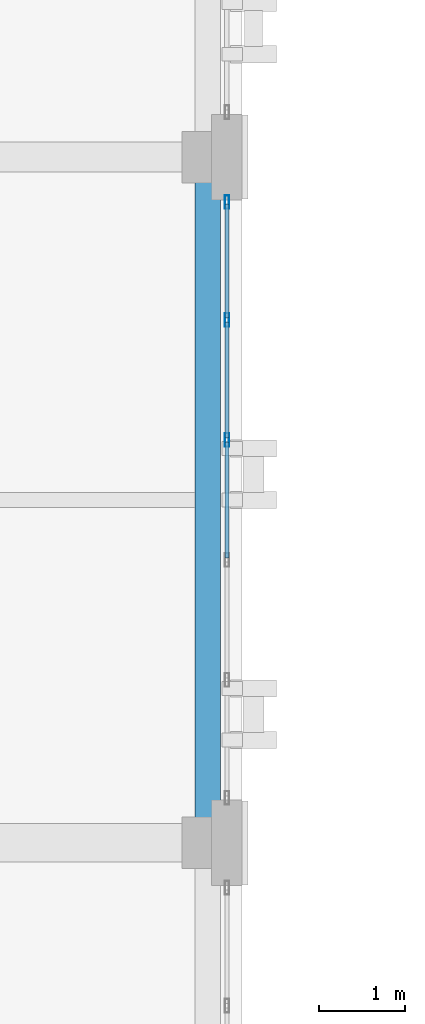
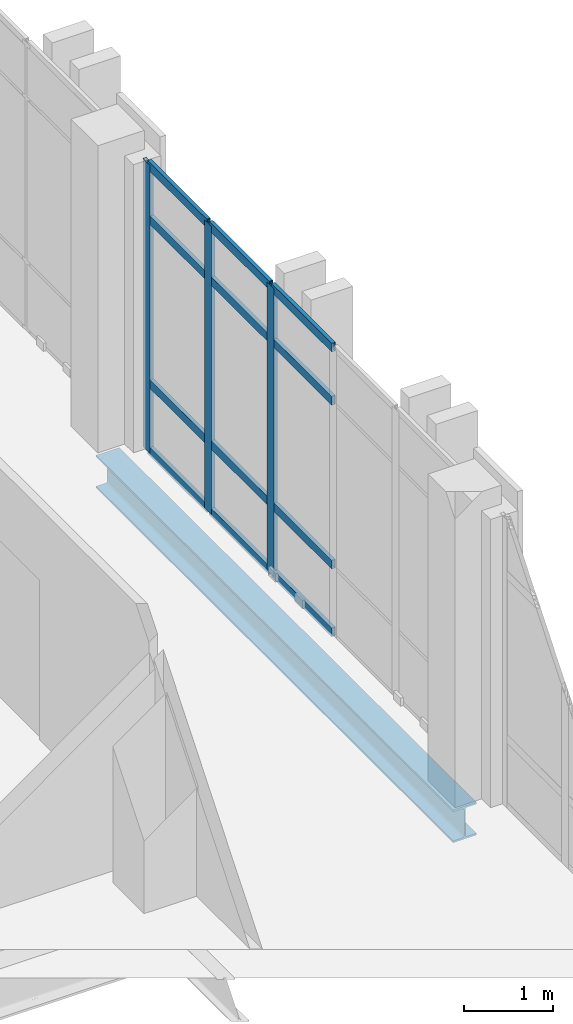
# One storey, part 16 of 48: 15 members, 1 beam, 1 element without a shape of its own.
"""IFC4 building model written with IfcOpenShell, lengths in metres."""

from ifc_helpers import new_model, si_unit, direction, frame, origin, origin_2d, place, context, subcontext, project, spatial, hollow_rectangle, i_section, extrude, material, layer, layer_set, material_profile, profile_set, type_object, element, aggregate, save


model = new_model("IFC4")

# Units and contexts
model_context = context("Model", 3, precision=1e-05, world=origin(), true_north=direction((0.0, 1.0)))
body_context = subcontext(model_context, "Body", "Model", "MODEL_VIEW")
ifc_project = project(units=[si_unit("LENGTHUNIT", "METRE"), si_unit("AREAUNIT", "SQUARE_METRE"), si_unit("VOLUMEUNIT", "CUBIC_METRE"), si_unit("PLANEANGLEUNIT", "RADIAN"), si_unit("MASSUNIT", "GRAM", prefix="KILO")], contexts=[model_context])

# Site, building, storey
site_placement = place(None, origin())
site = spatial("IfcSite", under=ifc_project, at=site_placement, CompositionType="ELEMENT")
building_placement = place(site_placement, origin())
building = spatial("IfcBuilding", under=site, at=building_placement, Name="Qalavern Law Courts", CompositionType="ELEMENT")
storey_placement = place(building_placement, frame((0.0, 0.0, 31.199951171875)))
storey = spatial("IfcBuildingStorey", under=building, at=storey_placement, Name="L07", CompositionType="ELEMENT", Elevation=31.199951171875)

# Curtain wall, members
ifc_material_1 = material(Name="Anodised aluminium and insulated glazing", Category="aluminium")
ifc_layer = layer(ifc_material_1, 0.159912109375)
ifc_layer_set = layer_set([ifc_layer], Name="Anodised aluminium and insulated glazing")
curtain_wall_type = type_object("IfcCurtainWallType", Name="ENV-CW-CHAMB", PredefinedType="USERDEFINED", material=ifc_layer_set)
curtain_wall_placement = place(storey_placement, origin())
curtain_wall = element("IfcCurtainWall", 1, at=curtain_wall_placement, inside=storey, type_object=curtain_wall_type, Name="V3 unitised curtain wall L07 east 4", ObjectType="UNITISED CURTAIN WALL", PredefinedType="USERDEFINED")
ifc_material_2 = material(Name="Anodised aluminium", Category="aluminium")
ifc_material_profile_1 = material_profile(ifc_material_2, hollow_rectangle(XDim=0.048095703125, YDim=0.159912109375, WallThickness=0.00390625, at=origin_2d()), Name="ALU MULLION 48x160")
ifc_profile_set_1 = profile_set([ifc_material_profile_1], Name="Anodised aluminium")
member_type_1 = type_object("IfcMemberType", Name="ENV-CWM-48x160", PredefinedType="MULLION", material=ifc_profile_set_1)
member_1_placement = place(storey_placement, frame((18.62255859375, 70.10009765625, 0.0), z_axis=(0.0, 0.0, 1.0), x_axis=(-1.0, 0.0, 0.0)))
member_1 = element("IfcMember", 2, at=member_1_placement, type_object=member_type_1, Name="CW-04 mullion 4", PredefinedType="MULLION", context=body_context, shape_type="SweptSolid", body=[
    extrude(hollow_rectangle(XDim=0.048095703125, YDim=0.159912109375, WallThickness=0.00390625, at=origin_2d()), origin(), (0.0, 0.0, 1.0), 3.93994140625),
])
member_2_placement = place(storey_placement, frame((18.62255859375, 71.5, 0.0), z_axis=(0.0, 0.0, 1.0), x_axis=(-1.0, 0.0, 0.0)))
member_2 = element("IfcMember", 3, at=member_2_placement, type_object=member_type_1, Name="CW-04 mullion 5", PredefinedType="MULLION", context=body_context, shape_type="SweptSolid", body=[
    extrude(hollow_rectangle(XDim=0.048095703125, YDim=0.159912109375, WallThickness=0.00390625, at=origin_2d()), origin(), (0.0, 0.0, 1.0), 3.93994140625),
])
member_3_placement = place(storey_placement, frame((18.62255859375, 72.8759765625, 0.0), z_axis=(0.0, 0.0, 1.0), x_axis=(-1.0, 0.0, 0.0)))
member_3 = element("IfcMember", 4, at=member_3_placement, type_object=member_type_1, Name="CW-04 mullion 6", PredefinedType="MULLION", context=body_context, shape_type="SweptSolid", body=[
    extrude(hollow_rectangle(XDim=0.048095703125, YDim=0.159912109375, WallThickness=0.00390625, at=origin_2d()), origin(), (0.0, 0.0, 1.0), 3.93994140625),
])
ifc_material_profile_2 = material_profile(ifc_material_2, hollow_rectangle(XDim=0.048095703125, YDim=0.1201171875, WallThickness=0.00390625, at=origin_2d()), Name="ALU TRANSOM 48x120")
ifc_profile_set_2 = profile_set([ifc_material_profile_2], Name="Anodised aluminium")
member_type_2 = type_object("IfcMemberType", Name="ENV-CWT-48x120", PredefinedType="USERDEFINED", material=ifc_profile_set_2)
member_4_placement = place(storey_placement, frame((18.62255859375, 68.72412109375, 0.024169921875), z_axis=(0.0, 1.0, 0.0), x_axis=(-1.0, 0.0, 0.0)))
member_4 = element("IfcMember", 5, at=member_4_placement, type_object=member_type_2, Name="CW-04 transom 3.1", ObjectType="TRANSOM", PredefinedType="USERDEFINED", context=body_context, shape_type="SweptSolid", body=[
    extrude(hollow_rectangle(XDim=0.048095703125, YDim=0.1201171875, WallThickness=0.00390625, at=origin_2d()), origin(), (0.0, 0.0, 1.0), 1.351806640625),
])
member_5_placement = place(storey_placement, frame((18.62255859375, 68.72412109375, 0.949951171875), z_axis=(0.0, 1.0, 0.0), x_axis=(-1.0, 0.0, 0.0)))
member_5 = element("IfcMember", 6, at=member_5_placement, type_object=member_type_2, Name="CW-04 transom 3.2", ObjectType="TRANSOM", PredefinedType="USERDEFINED", context=body_context, shape_type="SweptSolid", body=[
    extrude(hollow_rectangle(XDim=0.048095703125, YDim=0.1201171875, WallThickness=0.00390625, at=origin_2d()), origin(), (0.0, 0.0, 1.0), 1.351806640625),
])
member_6_placement = place(storey_placement, frame((18.62255859375, 68.72412109375, 3.18994140625), z_axis=(0.0, 1.0, 0.0), x_axis=(-1.0, 0.0, 0.0)))
member_6 = element("IfcMember", 7, at=member_6_placement, type_object=member_type_2, Name="CW-04 transom 3.3", ObjectType="TRANSOM", PredefinedType="USERDEFINED", context=body_context, shape_type="SweptSolid", body=[
    extrude(hollow_rectangle(XDim=0.048095703125, YDim=0.1201171875, WallThickness=0.00390625, at=origin_2d()), origin(), (0.0, 0.0, 1.0), 1.351806640625),
])
member_7_placement = place(storey_placement, frame((18.62255859375, 68.72412109375, 3.916015625), z_axis=(0.0, 1.0, 0.0), x_axis=(-1.0, 0.0, 0.0)))
member_7 = element("IfcMember", 8, at=member_7_placement, type_object=member_type_2, Name="CW-04 transom 3.4", ObjectType="TRANSOM", PredefinedType="USERDEFINED", context=body_context, shape_type="SweptSolid", body=[
    extrude(hollow_rectangle(XDim=0.048095703125, YDim=0.1201171875, WallThickness=0.00390625, at=origin_2d()), origin(), (0.0, 0.0, 1.0), 1.351806640625),
])
member_8_placement = place(storey_placement, frame((18.62255859375, 70.1240234375, 0.024169921875), z_axis=(0.0, 1.0, 0.0), x_axis=(-1.0, 0.0, 0.0)))
member_8 = element("IfcMember", 9, at=member_8_placement, type_object=member_type_2, Name="CW-04 transom 4.1", ObjectType="TRANSOM", PredefinedType="USERDEFINED", context=body_context, shape_type="SweptSolid", body=[
    extrude(hollow_rectangle(XDim=0.048095703125, YDim=0.1201171875, WallThickness=0.00390625, at=origin_2d()), origin(), (0.0, 0.0, 1.0), 1.35205078125),
])
member_9_placement = place(storey_placement, frame((18.62255859375, 70.1240234375, 0.949951171875), z_axis=(0.0, 1.0, 0.0), x_axis=(-1.0, 0.0, 0.0)))
member_9 = element("IfcMember", 10, at=member_9_placement, type_object=member_type_2, Name="CW-04 transom 4.2", ObjectType="TRANSOM", PredefinedType="USERDEFINED", context=body_context, shape_type="SweptSolid", body=[
    extrude(hollow_rectangle(XDim=0.048095703125, YDim=0.1201171875, WallThickness=0.00390625, at=origin_2d()), origin(), (0.0, 0.0, 1.0), 1.35205078125),
])
member_10_placement = place(storey_placement, frame((18.62255859375, 70.1240234375, 3.18994140625), z_axis=(0.0, 1.0, 0.0), x_axis=(-1.0, 0.0, 0.0)))
member_10 = element("IfcMember", 11, at=member_10_placement, type_object=member_type_2, Name="CW-04 transom 4.3", ObjectType="TRANSOM", PredefinedType="USERDEFINED", context=body_context, shape_type="SweptSolid", body=[
    extrude(hollow_rectangle(XDim=0.048095703125, YDim=0.1201171875, WallThickness=0.00390625, at=origin_2d()), origin(), (0.0, 0.0, 1.0), 1.35205078125),
])
member_11_placement = place(storey_placement, frame((18.62255859375, 70.1240234375, 3.916015625), z_axis=(0.0, 1.0, 0.0), x_axis=(-1.0, 0.0, 0.0)))
member_11 = element("IfcMember", 12, at=member_11_placement, type_object=member_type_2, Name="CW-04 transom 4.4", ObjectType="TRANSOM", PredefinedType="USERDEFINED", context=body_context, shape_type="SweptSolid", body=[
    extrude(hollow_rectangle(XDim=0.048095703125, YDim=0.1201171875, WallThickness=0.00390625, at=origin_2d()), origin(), (0.0, 0.0, 1.0), 1.35205078125),
])
member_12_placement = place(storey_placement, frame((18.62255859375, 71.52392578125, 0.024169921875), z_axis=(0.0, 1.0, 0.0), x_axis=(-1.0, 0.0, 0.0)))
member_12 = element("IfcMember", 13, at=member_12_placement, type_object=member_type_2, Name="CW-04 transom 5.1", ObjectType="TRANSOM", PredefinedType="USERDEFINED", context=body_context, shape_type="SweptSolid", body=[
    extrude(hollow_rectangle(XDim=0.048095703125, YDim=0.1201171875, WallThickness=0.00390625, at=origin_2d()), origin(), (0.0, 0.0, 1.0), 1.328125),
])
member_13_placement = place(storey_placement, frame((18.62255859375, 71.52392578125, 0.949951171875), z_axis=(0.0, 1.0, 0.0), x_axis=(-1.0, 0.0, 0.0)))
member_13 = element("IfcMember", 14, at=member_13_placement, type_object=member_type_2, Name="CW-04 transom 5.2", ObjectType="TRANSOM", PredefinedType="USERDEFINED", context=body_context, shape_type="SweptSolid", body=[
    extrude(hollow_rectangle(XDim=0.048095703125, YDim=0.1201171875, WallThickness=0.00390625, at=origin_2d()), origin(), (0.0, 0.0, 1.0), 1.328125),
])
member_14_placement = place(storey_placement, frame((18.62255859375, 71.52392578125, 3.18994140625), z_axis=(0.0, 1.0, 0.0), x_axis=(-1.0, 0.0, 0.0)))
member_14 = element("IfcMember", 15, at=member_14_placement, type_object=member_type_2, Name="CW-04 transom 5.3", ObjectType="TRANSOM", PredefinedType="USERDEFINED", context=body_context, shape_type="SweptSolid", body=[
    extrude(hollow_rectangle(XDim=0.048095703125, YDim=0.1201171875, WallThickness=0.00390625, at=origin_2d()), origin(), (0.0, 0.0, 1.0), 1.328125),
])
member_15_placement = place(storey_placement, frame((18.62255859375, 71.52392578125, 3.916015625), z_axis=(0.0, 1.0, 0.0), x_axis=(-1.0, 0.0, 0.0)))
member_15 = element("IfcMember", 16, at=member_15_placement, type_object=member_type_2, Name="CW-04 transom 5.4", ObjectType="TRANSOM", PredefinedType="USERDEFINED", context=body_context, shape_type="SweptSolid", body=[
    extrude(hollow_rectangle(XDim=0.048095703125, YDim=0.1201171875, WallThickness=0.00390625, at=origin_2d()), origin(), (0.0, 0.0, 1.0), 1.328125),
])
aggregate(curtain_wall, [member_1, member_2, member_3, member_4, member_5, member_6, member_7, member_8, member_9, member_10, member_11, member_12, member_13, member_14, member_15])

# Beam
ifc_material_3 = material(Name="Steel S355", Category="steel")
ifc_material_profile_3 = material_profile(ifc_material_3, i_section(OverallWidth=0.300048828125, OverallDepth=0.449951171875, WebThickness=0.013916015625, FlangeThickness=0.02587890625, FilletRadius=0.027099609375, at=origin_2d()), Name="HEB 450")
ifc_profile_set_3 = profile_set([ifc_material_profile_3], Name="Steel S355")
beam_type = type_object("IfcBeamType", Name="STR-SP-HEB450", PredefinedType="SPANDREL", material=ifc_profile_set_3)
beam_placement = place(storey_placement, frame((18.39990234375, 65.39990234375, -0.489990234375), z_axis=(0.0, 1.0, 0.0), x_axis=(-1.0, 0.0, 0.0)))
element("IfcBeam", 17, at=beam_placement, inside=storey, type_object=beam_type, Name="V3 Y-beam 3-4 L07", PredefinedType="SPANDREL", context=body_context, shape_type="SweptSolid", body=[
    extrude(i_section(OverallWidth=0.300048828125, OverallDepth=0.449951171875, WebThickness=0.013916015625, FlangeThickness=0.02587890625, FilletRadius=0.027099609375, at=origin_2d()), origin(), (0.0, 0.0, 1.0), 8.0),
])

save(model, "model.ifc")
